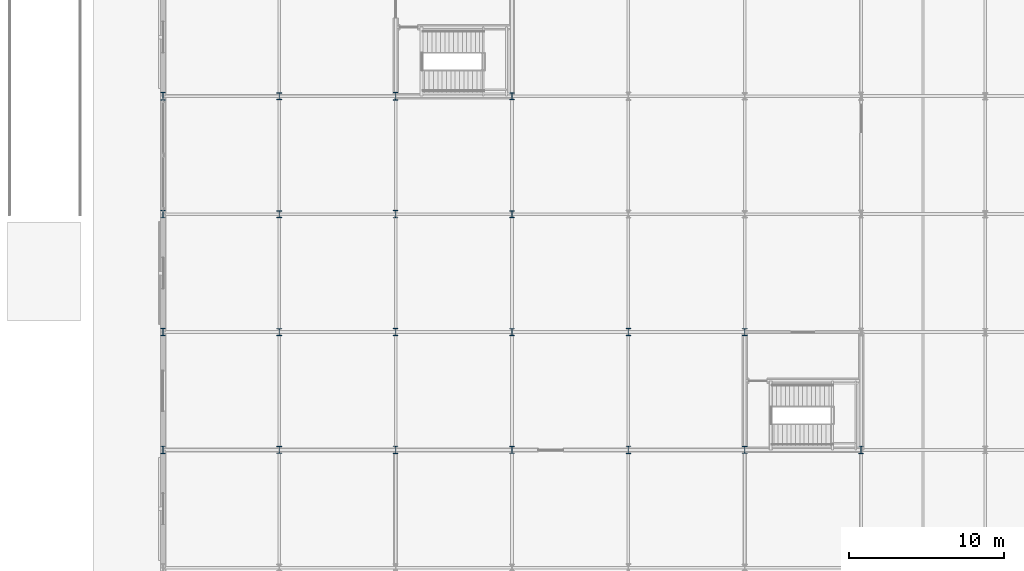
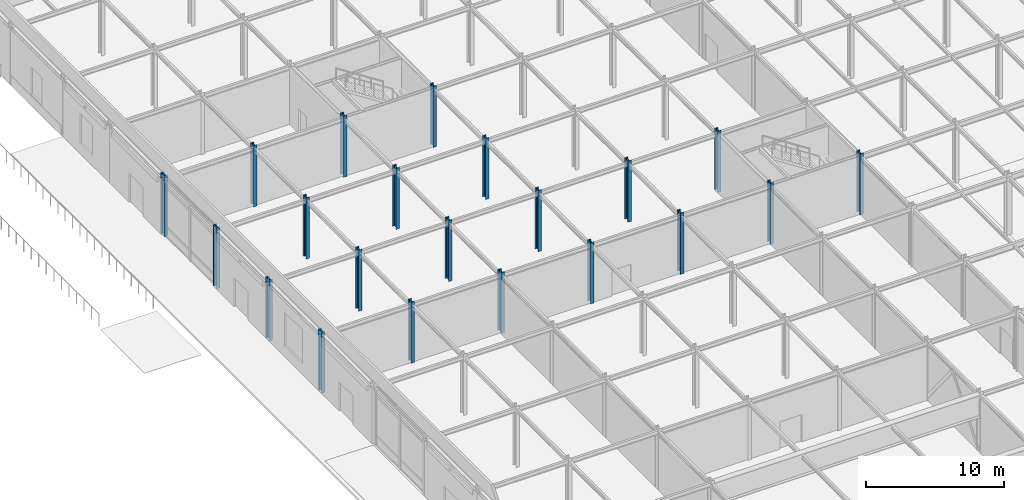
# One storey, part 9 of 89: 21 columns.
"""IFC4 building model written with IfcOpenShell, lengths in metres."""

from ifc_helpers import new_model, si_unit, direction, frame, origin, origin_2d, place, context, subcontext, project, spatial, i_section, extrude, material, material_profile, profile_set, type_object, element, save


model = new_model("IFC4")

# Units and contexts
model_context = context("Model", 3, precision=1e-05, world=origin(), true_north=direction((0.0, 1.0)))
body_context = subcontext(model_context, "Body", "Model", "MODEL_VIEW")
ifc_project = project(units=[si_unit("LENGTHUNIT", "METRE"), si_unit("AREAUNIT", "SQUARE_METRE"), si_unit("VOLUMEUNIT", "CUBIC_METRE"), si_unit("PLANEANGLEUNIT", "RADIAN"), si_unit("MASSUNIT", "GRAM", prefix="KILO")], contexts=[model_context])

# Site, building, storey
site_placement = place(None, origin())
site = spatial("IfcSite", under=ifc_project, at=site_placement, CompositionType="ELEMENT")
building_placement = place(site_placement, origin())
building = spatial("IfcBuilding", under=site, at=building_placement, Name="Shalkamar Park Central Library", CompositionType="ELEMENT")
storey_placement = place(building_placement, origin())
storey = spatial("IfcBuildingStorey", under=building, at=storey_placement, Name="L01", CompositionType="ELEMENT", Elevation=0.0)

# Columns
ifc_material = material(Name="Steel S355", Category="steel")
ifc_material_profile_1 = material_profile(ifc_material, i_section(OverallWidth=0.300048828125, OverallDepth=0.449951171875, WebThickness=0.013916015625, FlangeThickness=0.02587890625, FilletRadius=0.027099609375, at=origin_2d()), Name="HEB 450")
ifc_profile_set_1 = profile_set([ifc_material_profile_1], Name="Steel S355")
column_type_1 = type_object("IfcColumnType", Name="Column Steel HEB450", PredefinedType="COLUMN", material=ifc_profile_set_1)
for number, where, z_axis, x_axis, name in (
    (1, (127.5, 300.800048828125, 0.0), (0.0, 0.0, 1.0), (1.0, 0.0, 0.0), "Column 02/J (L01)"),
    (2, (127.5, 308.39990234375, 0.0), (0.0, 0.0, 1.0), (1.0, 0.0, 0.0), "Column 02/K (L01)"),
    (3, (127.5, 316.0, 0.0), (0.0, 0.0, 1.0), (1.0, 0.0, 0.0), "Column 02/L (L01)"),
    (4, (127.5, 323.60009765625, 0.0), (0.0, 0.0, 1.0), (1.0, 0.0, 0.0), "Column 02/M (L01)"),
    (5, (142.5, 300.800048828125, 0.0), (0.0, 0.0, 1.0), (1.0, 0.0, 0.0), "Column 04/J (L01)"),
    (6, (142.5, 308.39990234375, 0.0), (0.0, 0.0, 1.0), (1.0, 0.0, 0.0), "Column 04/K (L01)"),
    (7, (142.5, 316.0, 0.0), (0.0, 0.0, 1.0), (1.0, 0.0, 0.0), "Column 04/L (L01)"),
    (8, (142.5, 323.60009765625, 0.0), (0.0, 0.0, 1.0), (1.0, 0.0, 0.0), "Column 04/M (L01)"),
    (9, (157.5, 300.800048828125, 0.0), (0.0, 0.0, 1.0), (1.0, 0.0, 0.0), "Column 06/J (L01)"),
    (10, (157.5, 308.39990234375, 0.0), (0.0, 0.0, 1.0), (1.0, 0.0, 0.0), "Column 06/K (L01)"),
):
    element("IfcColumn", number, at=place(storey_placement, frame(where, z_axis=z_axis, x_axis=x_axis)), inside=storey, type_object=column_type_1, Name=name, PredefinedType="COLUMN", context=body_context, shape_type="SweptSolid", body=[
        extrude(i_section(OverallWidth=0.300048828125, OverallDepth=0.449951171875, WebThickness=0.013916015625, FlangeThickness=0.02587890625, FilletRadius=0.027099609375, at=origin_2d()), origin(), (0.0, 0.0, 1.0), 5.39990234375),
    ])
ifc_material_profile_2 = material_profile(ifc_material, i_section(OverallWidth=0.300048828125, OverallDepth=0.5, WebThickness=0.014404296875, FlangeThickness=0.028076171875, FilletRadius=0.027099609375, at=origin_2d()), Name="HEB 500")
ifc_profile_set_2 = profile_set([ifc_material_profile_2], Name="Steel S355")
column_type_2 = type_object("IfcColumnType", Name="Column Steel HEB500", PredefinedType="COLUMN", material=ifc_profile_set_2)
for number, where, z_axis, x_axis, name in (
    (11, (120.0, 300.800048828125, 0.0), (0.0, 0.0, 1.0), (1.0, 0.0, 0.0), "Column 01/J (L01)"),
    (12, (120.0, 308.39990234375, 0.0), (0.0, 0.0, 1.0), (1.0, 0.0, 0.0), "Column 01/K (L01)"),
    (13, (120.0, 316.0, 0.0), (0.0, 0.0, 1.0), (1.0, 0.0, 0.0), "Column 01/L (L01)"),
    (14, (120.0, 323.60009765625, 0.0), (0.0, 0.0, 1.0), (1.0, 0.0, 0.0), "Column 01/M (L01)"),
    (15, (135.0, 300.800048828125, 0.0), (0.0, 0.0, 1.0), (1.0, 0.0, 0.0), "Column 03/J (L01)"),
    (16, (135.0, 308.39990234375, 0.0), (0.0, 0.0, 1.0), (1.0, 0.0, 0.0), "Column 03/K (L01)"),
    (17, (135.0, 316.0, 0.0), (0.0, 0.0, 1.0), (1.0, 0.0, 0.0), "Column 03/L (L01)"),
    (18, (135.0, 323.60009765625, 0.0), (0.0, 0.0, 1.0), (1.0, 0.0, 0.0), "Column 03/M (L01)"),
    (19, (150.0, 300.800048828125, 0.0), (0.0, 0.0, 1.0), (1.0, 0.0, 0.0), "Column 05/J (L01)"),
    (20, (150.0, 308.39990234375, 0.0), (0.0, 0.0, 1.0), (1.0, 0.0, 0.0), "Column 05/K (L01)"),
    (21, (165.0, 300.800048828125, 0.0), (0.0, 0.0, 1.0), (1.0, 0.0, 0.0), "Column 07/J (L01)"),
):
    element("IfcColumn", number, at=place(storey_placement, frame(where, z_axis=z_axis, x_axis=x_axis)), inside=storey, type_object=column_type_2, Name=name, PredefinedType="COLUMN", context=body_context, shape_type="SweptSolid", body=[
        extrude(i_section(OverallWidth=0.300048828125, OverallDepth=0.5, WebThickness=0.014404296875, FlangeThickness=0.028076171875, FilletRadius=0.027099609375, at=origin_2d()), origin(), (0.0, 0.0, 1.0), 5.39990234375),
    ])

save(model, "model.ifc")
